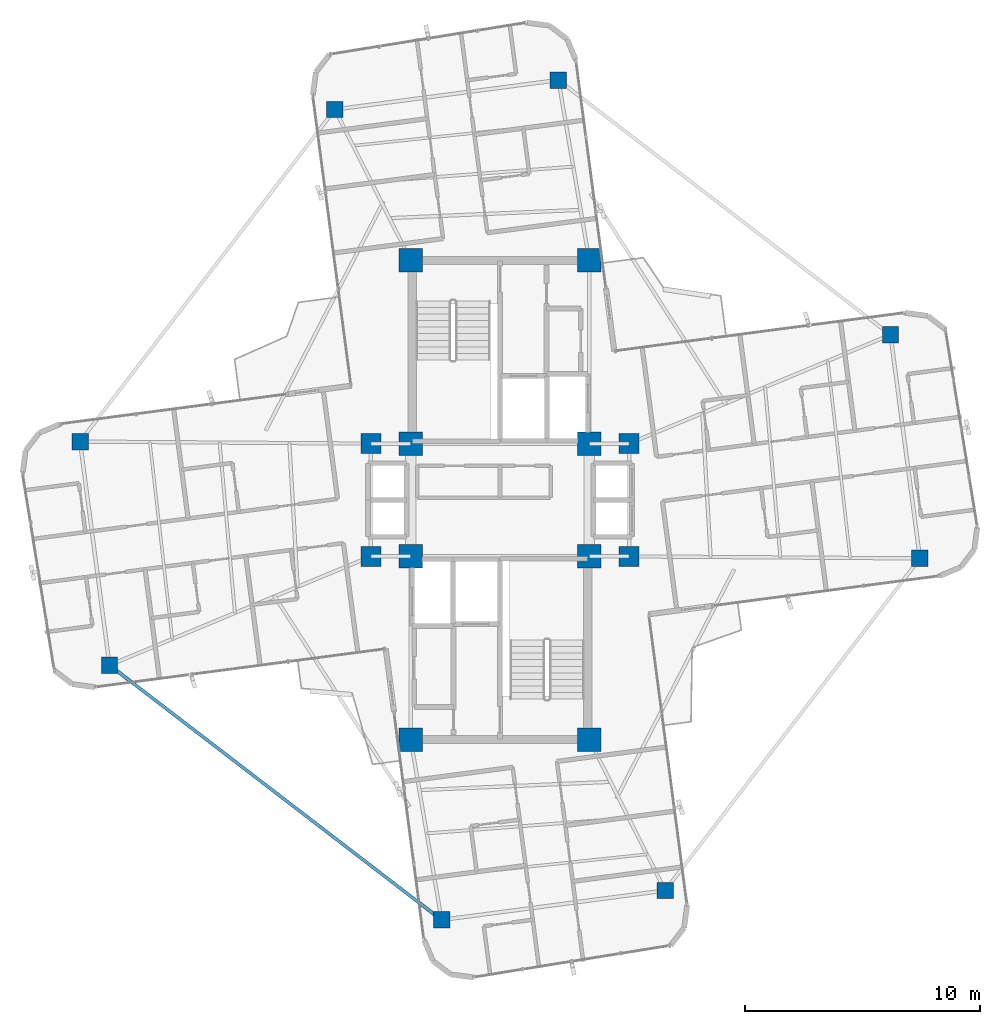
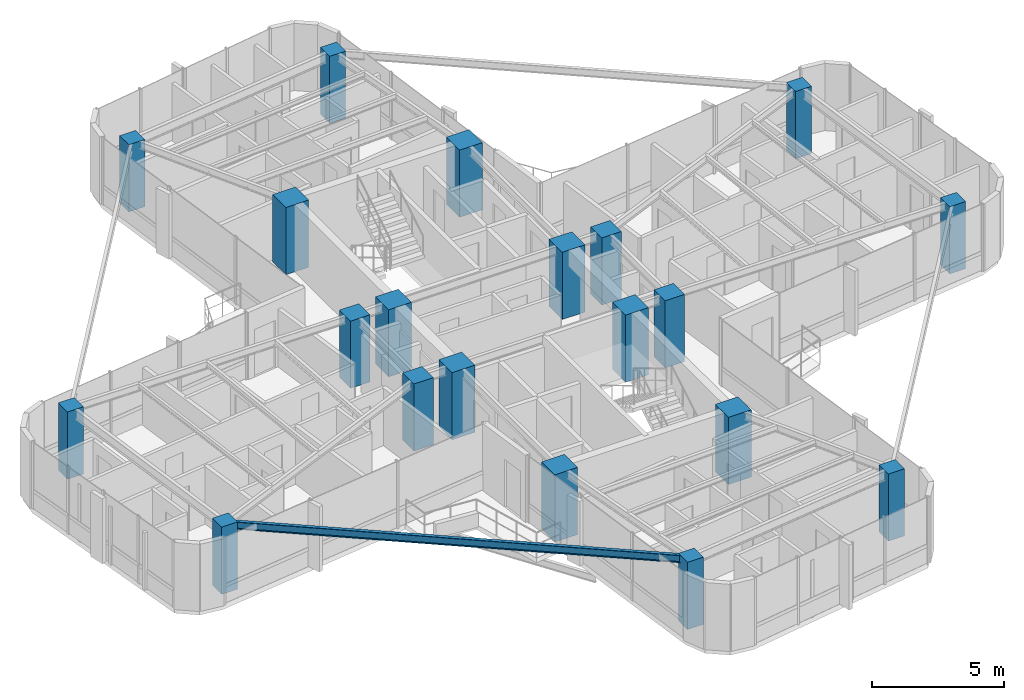
# One storey, part 1 of 22: 20 columns, 1 beam.
"""IFC4 building model written with IfcOpenShell, lengths in metres."""

import ifcopenshell
import ifcopenshell.guid

model = None  # the IFC model being written
_history = None  # IfcOwnerHistory: only IFC2X3 demands one
_inside = {}  # id of a spatial element -> (the spatial element, [elements in it])
_under = {}  # id of a project, library or spatial element -> (it, [spatial elements below it])
_declared = {}  # id of a project -> (the project, [libraries it declares])
_typed = {}  # id of a type object -> (the type object, [elements of that type])
_made_of = {}  # id of a material, layer set ... -> (it, [elements and type objects made of it])


def new_model(schema):
    """Start an empty IFC model of exactly this schema.

    Asked for "IFC4X3", IfcOpenShell would pick the latest addendum, in which some entities
    have other attributes; the version numbers below select the first issue.
    IFC2X3 requires an IfcOwnerHistory on every rooted entity: one is made here for all.
    """
    global model, _history
    if schema == "IFC4X3":
        model = ifcopenshell.file(schema_version=(4, 3, 0, 0))
    else:
        model = ifcopenshell.file(schema=schema)
    _inside.clear()
    _under.clear()
    _declared.clear()
    _typed.clear()
    _made_of.clear()
    _history = None
    if model.schema == "IFC2X3":
        org = make("IfcOrganization", Name="unknown")
        user = make(
            "IfcPersonAndOrganization",
            ThePerson=make("IfcPerson", FamilyName="unknown"),
            TheOrganization=org,
        )
        app = make(
            "IfcApplication",
            ApplicationDeveloper=org,
            Version="unknown",
            ApplicationFullName="unknown",
            ApplicationIdentifier="unknown",
        )
        _history = make(
            "IfcOwnerHistory",
            OwningUser=user,
            OwningApplication=app,
            ChangeAction="ADDED",
            CreationDate=0,
        )
    return model


def make(cls, **values):
    """One entity of the class cls with the attributes given. An attribute that is None is left unset."""
    return model.create_entity(
        cls, **{name: value for name, value in values.items() if value is not None}
    )


def rooted(cls, **values):
    """An entity with a GlobalId (a new one), such as an element, a storey or a relation."""
    return make(cls, GlobalId=ifcopenshell.guid.new(), OwnerHistory=_history, **values)


def si_unit(unit_type, name, prefix=None):
    """IfcSIUnit, for example si_unit("LENGTHUNIT", "METRE", prefix="MILLI")."""
    return make("IfcSIUnit", UnitType=unit_type, Prefix=prefix, Name=name)


def assignment(units):
    """IfcUnitAssignment: the units of a project."""
    return None if units is None else make("IfcUnitAssignment", Units=units)


def point(xyz):
    """IfcCartesianPoint."""
    return None if xyz is None else make("IfcCartesianPoint", Coordinates=xyz)


def direction(xyz):
    """IfcDirection."""
    return None if xyz is None else make("IfcDirection", DirectionRatios=xyz)


def frame(location, z_axis=None, x_axis=None):
    """IfcAxis2Placement3D, a coordinate frame: its origin and axes. An axis left out is left unset."""
    return make(
        "IfcAxis2Placement3D",
        Location=point(location),
        Axis=direction(z_axis),
        RefDirection=direction(x_axis),
    )


def frame_2d(location, x_axis=None):
    """IfcAxis2Placement2D, a coordinate frame in the plane: its origin and x axis."""
    return make(
        "IfcAxis2Placement2D", Location=point(location), RefDirection=direction(x_axis)
    )


def origin():
    """The frame at (0, 0, 0) with its axes left unset."""
    return frame((0.0, 0.0, 0.0))


def origin_2d():
    """The frame at (0, 0) in the plane with its x axis left unset."""
    return frame_2d((0.0, 0.0))


def place(relative_to, where):
    """IfcLocalPlacement: puts the frame where relative to a parent placement (None: the world)."""
    return make(
        "IfcLocalPlacement", PlacementRelTo=relative_to, RelativePlacement=where
    )


def context(
    kind, dimensions, precision=None, world=None, true_north=None, identifier=None
):
    """IfcGeometricRepresentationContext, for example the 3D "Model" context."""
    return make(
        "IfcGeometricRepresentationContext",
        ContextIdentifier=identifier,
        ContextType=kind,
        CoordinateSpaceDimension=dimensions,
        Precision=precision,
        WorldCoordinateSystem=world,
        TrueNorth=true_north,
    )


def subcontext(parent, identifier, kind, view, scale=None):
    """IfcGeometricRepresentationSubContext, for example "Body" below "Model"."""
    return make(
        "IfcGeometricRepresentationSubContext",
        ContextIdentifier=identifier,
        ContextType=kind,
        ParentContext=parent,
        TargetScale=scale,
        TargetView=view,
    )


def project(units=None, contexts=None):
    """IfcProject with its units and contexts."""
    return rooted(
        "IfcProject",
        Name="project",
        RepresentationContexts=contexts,
        UnitsInContext=assignment(units),
    )


def spatial(cls, under=None, at=None, **own):
    """A site, building, storey or space (cls), placed at a placement, below another one or the project."""
    s = rooted(cls, ObjectPlacement=at, **own)
    if under is not None:
        _under.setdefault(under.id(), (under, []))[1].append(s)
    return s


def profile(cls, at=None, kind="AREA", **sizes):
    """A parametric profile (cls). Its sizes go by their IFC names, for example OverallWidth=200.0."""
    return make(cls, ProfileType=kind, Position=at, **sizes)


def rectangle(**sizes):
    """IfcRectangleProfileDef."""
    return profile("IfcRectangleProfileDef", **sizes)


def i_section(**sizes):
    """IfcIShapeProfileDef."""
    return profile("IfcIShapeProfileDef", **sizes)


def extrude(swept, where, along, depth):
    """IfcExtrudedAreaSolid: the profile swept, set in the frame where, extruded along a direction by depth."""
    return make(
        "IfcExtrudedAreaSolid",
        SweptArea=swept,
        Position=where,
        ExtrudedDirection=direction(along),
        Depth=depth,
    )


def shape(context_of_items, identifier, shape_type, items):
    """IfcShapeRepresentation: the items that make up one representation, for example the "Body"."""
    return make(
        "IfcShapeRepresentation",
        ContextOfItems=context_of_items,
        RepresentationIdentifier=identifier,
        RepresentationType=shape_type,
        Items=items,
    )


def source(mapping_origin, context_of_items, identifier, shape_type, items):
    """IfcRepresentationMap: a shape defined once, which mapped items show again and again."""
    return make(
        "IfcRepresentationMap",
        MappingOrigin=mapping_origin,
        MappedRepresentation=shape(context_of_items, identifier, shape_type, items),
    )


def transform(
    local_origin,
    x_axis=None,
    y_axis=None,
    z_axis=None,
    scale=None,
    scale2=None,
    scale3=None,
    uniform=True,
):
    """IfcCartesianTransformationOperator3D, or its non-uniform kind. x_axis, y_axis, z_axis: its Axis1, 2, 3."""
    if uniform:
        return make(
            "IfcCartesianTransformationOperator3D",
            Axis1=direction(x_axis),
            Axis2=direction(y_axis),
            LocalOrigin=point(local_origin),
            Scale=scale,
            Axis3=direction(z_axis),
        )
    return make(
        "IfcCartesianTransformationOperator3DnonUniform",
        Axis1=direction(x_axis),
        Axis2=direction(y_axis),
        LocalOrigin=point(local_origin),
        Scale=scale,
        Axis3=direction(z_axis),
        Scale2=scale2,
        Scale3=scale3,
    )


def mapped(mapping_source, mapping_target):
    """IfcMappedItem: shows the shape of a source again, moved by a transform."""
    return make(
        "IfcMappedItem", MappingSource=mapping_source, MappingTarget=mapping_target
    )


def material(Name=None, Category=None):
    """IfcMaterial."""
    return make("IfcMaterial", Name=Name, Category=Category)


def material_profile(
    of_material, cross_section, Name=None, Category=None, Priority=None
):
    """IfcMaterialProfile: a cross section and its material."""
    return make(
        "IfcMaterialProfile",
        Name=Name,
        Material=of_material,
        Profile=cross_section,
        Priority=Priority,
        Category=Category,
    )


def profile_set(profiles, Name=None, composite=None):
    """IfcMaterialProfileSet."""
    return make(
        "IfcMaterialProfileSet",
        Name=Name,
        MaterialProfiles=profiles,
        CompositeProfile=composite,
    )


def made_of(thing, what):
    """Note that an element or type object is made of a material, layer set ...; save() writes the relation."""
    if what is not None:
        _made_of.setdefault(what.id(), (what, []))[1].append(thing)
    return thing


def type_object(cls, material=None, **own):
    """A type object (cls), such as IfcWallType, which elements share."""
    return made_of(rooted(cls, **own), material)


def element(
    cls,
    number,
    at=None,
    inside=None,
    cuts=None,
    type_object=None,
    material=None,
    context=None,
    identifier="Body",
    shape_type=None,
    held_by="IfcProductDefinitionShape",
    body=None,
    shapes=None,
    **own,
):
    """One element of the class cls, such as IfcWall. Its Tag is "e" and its number.

    at: its placement. inside: the storey or other place that contains it. cuts: it is an
    opening in that element (IfcRelVoidsElement). A single representation is given by context,
    identifier, shape_type and body (its items); several are given by shapes. held_by: the class
    of the entity that holds the representations. save() writes the other relations.
    """
    e = rooted(cls, Tag="e%d" % number, ObjectPlacement=at, **own)
    if body is not None:
        shapes = [shape(context, identifier, shape_type, body)]
    if shapes is not None:
        e.Representation = make(held_by, Representations=shapes)
    if inside is not None:
        _inside.setdefault(inside.id(), (inside, []))[1].append(e)
    if cuts is not None:
        rooted(
            "IfcRelVoidsElement", RelatingBuildingElement=cuts, RelatedOpeningElement=e
        )
    if type_object is not None:
        _typed.setdefault(type_object.id(), (type_object, []))[1].append(e)
    return made_of(e, material)


def aggregate(whole, parts):
    """IfcRelAggregates: a whole, such as a stair, and the parts it consists of."""
    return rooted("IfcRelAggregates", RelatingObject=whole, RelatedObjects=parts)


def save(model, path):
    """Write the relations noted so far, then the file.

    IfcRelAggregates (storeys below a building ...), IfcRelContainedInSpatialStructure (elements
    in a storey), IfcRelDefinesByType, IfcRelAssociatesMaterial and IfcRelDeclares: one each for
    every whole, place, type object, material and project.
    """
    for whole, parts in _under.values():
        aggregate(whole, parts)
    for where, things in _inside.values():
        rooted(
            "IfcRelContainedInSpatialStructure",
            RelatedElements=things,
            RelatingStructure=where,
        )
    for kind, things in _typed.values():
        rooted("IfcRelDefinesByType", RelatedObjects=things, RelatingType=kind)
    for what, things in _made_of.values():
        rooted("IfcRelAssociatesMaterial", RelatedObjects=things, RelatingMaterial=what)
    for by, libraries in _declared.values():
        rooted("IfcRelDeclares", RelatingContext=by, RelatedDefinitions=libraries)
    model.write(path)


model = new_model("IFC4")

# Units and contexts
model_context = context("Model", 3, precision=1e-05, world=origin(), true_north=direction((0.0, 1.0)))
body_context = subcontext(model_context, "Body", "Model", "MODEL_VIEW")
ifc_project = project(units=[si_unit("LENGTHUNIT", "METRE"), si_unit("AREAUNIT", "SQUARE_METRE"), si_unit("VOLUMEUNIT", "CUBIC_METRE"), si_unit("PLANEANGLEUNIT", "RADIAN"), si_unit("MASSUNIT", "GRAM", prefix="KILO")], contexts=[model_context])

# Site, building, storey
site_placement = place(None, origin())
site = spatial("IfcSite", under=ifc_project, at=site_placement, CompositionType="ELEMENT")
building_placement = place(site_placement, origin())
building = spatial("IfcBuilding", under=site, at=building_placement, Name="Sahyath Konkavel Grand Hotel", CompositionType="ELEMENT")
storey_placement = place(building_placement, frame((0.0, 0.0, 206.5)))
storey = spatial("IfcBuildingStorey", under=building, at=storey_placement, Name="L57", CompositionType="ELEMENT", Elevation=206.5)

# Columns
ifc_material_1 = material(Name="Concrete C50/60", Category="concrete")
ifc_material_profile_1 = material_profile(ifc_material_1, rectangle(XDim=1.0, YDim=1.0, at=origin_2d()), Name="RC 1000x1000")
ifc_profile_set_1 = profile_set([ifc_material_profile_1], Name="Concrete C50/60")
column_type_1 = type_object("IfcColumnType", Name="COL-RC1000", PredefinedType="COLUMN", material=ifc_profile_set_1)
shared_shape_1 = source(origin(), body_context, "Body", "SweptSolid", [
    extrude(rectangle(XDim=1.0, YDim=1.0, at=origin_2d()), origin(), (0.0, 0.0, 1.0), 3.110107421875),
])
for number, where, z_axis, x_axis, name in (
    (1, (-3.800048828125, 2.39990234375, 0.0), (0.0, 0.0, 1.0), (1.0, 0.0, 0.0), "L57 Core Boundary Column NC-SW"),
    (2, (3.800048828125, 2.39990234375, 0.0), (0.0, 0.0, 1.0), (1.0, 0.0, 0.0), "L57 Core Boundary Column NC-SE"),
    (3, (-3.800048828125, 10.199951171875, 0.0), (0.0, 0.0, 1.0), (1.0, 0.0, 0.0), "L57 Core Boundary Column NC-NW"),
    (4, (3.800048828125, 10.199951171875, 0.0), (0.0, 0.0, 1.0), (1.0, 0.0, 0.0), "L57 Core Boundary Column NC-NE"),
    (5, (-3.800048828125, -2.39990234375, 0.0), (0.0, 0.0, 1.0), (1.0, 0.0, 0.0), "L57 Core Boundary Column SC-NW"),
    (6, (3.800048828125, -2.39990234375, 0.0), (0.0, 0.0, 1.0), (1.0, 0.0, 0.0), "L57 Core Boundary Column SC-NE"),
    (7, (-3.800048828125, -10.199951171875, 0.0), (0.0, 0.0, 1.0), (1.0, 0.0, 0.0), "L57 Core Boundary Column SC-SW"),
    (8, (3.800048828125, -10.199951171875, 0.0), (0.0, 0.0, 1.0), (1.0, 0.0, 0.0), "L57 Core Boundary Column SC-SE"),
):
    element("IfcColumn", number, at=place(storey_placement, frame(where, z_axis=z_axis, x_axis=x_axis)), inside=storey, type_object=column_type_1, Name=name, PredefinedType="COLUMN", context=body_context, shape_type="MappedRepresentation", body=[
        mapped(shared_shape_1, transform((0.0, 0.0, 0.0), scale=1.0)),
    ])
ifc_material_2 = material(Name="Concrete C40/50", Category="concrete")
ifc_material_profile_2 = material_profile(ifc_material_2, rectangle(XDim=0.85009765625, YDim=0.85009765625, at=origin_2d()), Name="RC 850x850")
ifc_profile_set_2 = profile_set([ifc_material_profile_2], Name="Concrete C40/50")
column_type_2 = type_object("IfcColumnType", Name="COL-RC850", PredefinedType="COLUMN", material=ifc_profile_set_2)
shared_shape_2 = source(origin(), body_context, "Body", "SweptSolid", [
    extrude(rectangle(XDim=0.85009765625, YDim=0.85009765625, at=origin_2d()), origin(), (0.0, 0.0, 1.0), 3.110107421875),
])
for number, where, z_axis, x_axis, name in (
    (9, (5.5, 2.39990234375, 0.0), (0.0, 0.0, 1.0), (1.0, 0.0, 0.0), "L57 Central Spine Column HB-NE"),
    (10, (-5.5, 2.39990234375, 0.0), (0.0, 0.0, 1.0), (1.0, 0.0, 0.0), "L57 Central Spine Column HB-NW"),
    (11, (5.5, -2.39990234375, 0.0), (0.0, 0.0, 1.0), (1.0, 0.0, 0.0), "L57 Central Spine Column HB-SE"),
    (12, (-5.5, -2.39990234375, 0.0), (0.0, 0.0, 1.0), (1.0, 0.0, 0.0), "L57 Central Spine Column HB-SW"),
):
    element("IfcColumn", number, at=place(storey_placement, frame(where, z_axis=z_axis, x_axis=x_axis)), inside=storey, type_object=column_type_2, Name=name, PredefinedType="COLUMN", context=body_context, shape_type="MappedRepresentation", body=[
        mapped(shared_shape_2, transform((0.0, 0.0, 0.0), scale=1.0)),
    ])
ifc_material_profile_3 = material_profile(ifc_material_2, rectangle(XDim=0.699951171875, YDim=0.699951171875, at=origin_2d()), Name="RC 700x700")
ifc_profile_set_3 = profile_set([ifc_material_profile_3], Name="Concrete C40/50")
column_type_3 = type_object("IfcColumnType", Name="COL-RC700", PredefinedType="COLUMN", material=ifc_profile_set_3)
shared_shape_3 = source(origin(), body_context, "Body", "SweptSolid", [
    extrude(rectangle(XDim=0.699951171875, YDim=0.699951171875, at=origin_2d()), origin(), (0.0, 0.0, 1.0), 3.110107421875),
])
for number, where, z_axis, x_axis, name in (
    (13, (17.877685546875, -2.48779296875, 0.0), (0.0, 0.0, 1.0), (1.0, 0.0, 0.0), "L57 Cruciform Wing Column WC-EA"),
    (14, (16.62451171875, 7.030029296875, 0.0), (0.0, 0.0, 1.0), (1.0, 0.0, 0.0), "L57 Cruciform Wing Column WC-EB"),
    (15, (2.48779296875, 17.877685546875, 0.0), (0.0, 0.0, 1.0), (1.0, 0.0, 0.0), "L57 Cruciform Wing Column WC-NA"),
    (16, (-7.030029296875, 16.62451171875, 0.0), (0.0, 0.0, 1.0), (1.0, 0.0, 0.0), "L57 Cruciform Wing Column WC-NB"),
    (17, (-17.877685546875, 2.48779296875, 0.0), (0.0, 0.0, 1.0), (1.0, 0.0, 0.0), "L57 Cruciform Wing Column WC-WA"),
    (18, (-16.62451171875, -7.030029296875, 0.0), (0.0, 0.0, 1.0), (1.0, 0.0, 0.0), "L57 Cruciform Wing Column WC-WB"),
    (19, (-2.48779296875, -17.877685546875, 0.0), (0.0, 0.0, 1.0), (1.0, 0.0, 0.0), "L57 Cruciform Wing Column WC-SA"),
    (20, (7.030029296875, -16.62451171875, 0.0), (0.0, 0.0, 1.0), (1.0, 0.0, 0.0), "L57 Cruciform Wing Column WC-SB"),
):
    element("IfcColumn", number, at=place(storey_placement, frame(where, z_axis=z_axis, x_axis=x_axis)), inside=storey, type_object=column_type_3, Name=name, PredefinedType="COLUMN", context=body_context, shape_type="MappedRepresentation", body=[
        mapped(shared_shape_3, transform((0.0, 0.0, 0.0), scale=1.0)),
    ])

# Beam
ifc_material_3 = material(Name="Steel E350", Category="steel")
ifc_material_profile_4 = material_profile(ifc_material_3, i_section(OverallWidth=0.139892578125, OverallDepth=0.35009765625, WebThickness=0.008056640625, FlangeThickness=0.01416015625, FilletRadius=0.013916015625, at=origin_2d()), Name="ISMB 350")
ifc_profile_set_4 = profile_set([ifc_material_profile_4], Name="Steel E350")
beam_type = type_object("IfcBeamType", Name="BM-ISMB350", PredefinedType="BEAM", material=ifc_profile_set_4)
shared_shape_4 = source(origin(), body_context, "Body", "SweptSolid", [
    extrude(i_section(OverallWidth=0.139892578125, OverallDepth=0.35009765625, WebThickness=0.008056640625, FlangeThickness=0.01416015625, FilletRadius=0.013916015625, at=origin_2d()), origin(), (0.0, 0.0, 1.0), 17.819091796875),
])
beam_placement = place(storey_placement, frame((-16.62451171875, -7.030029296875, 2.93505859375), z_axis=(0.793348720932, -0.608767449027, 0.0), x_axis=(0.608767449027, 0.793348720932, 0.0)))
element("IfcBeam", 21, at=beam_placement, inside=storey, type_object=beam_type, Name="L57 Re-Entrant Tie Beam SW", PredefinedType="BEAM", context=body_context, shape_type="MappedRepresentation", body=[
    mapped(shared_shape_4, transform((0.0, 0.0, 0.0), scale=1.0)),
])

save(model, "model.ifc")
